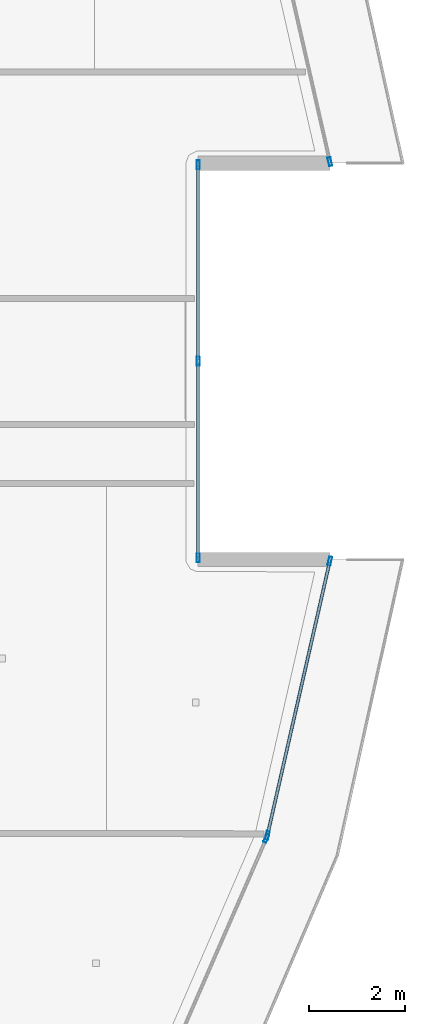
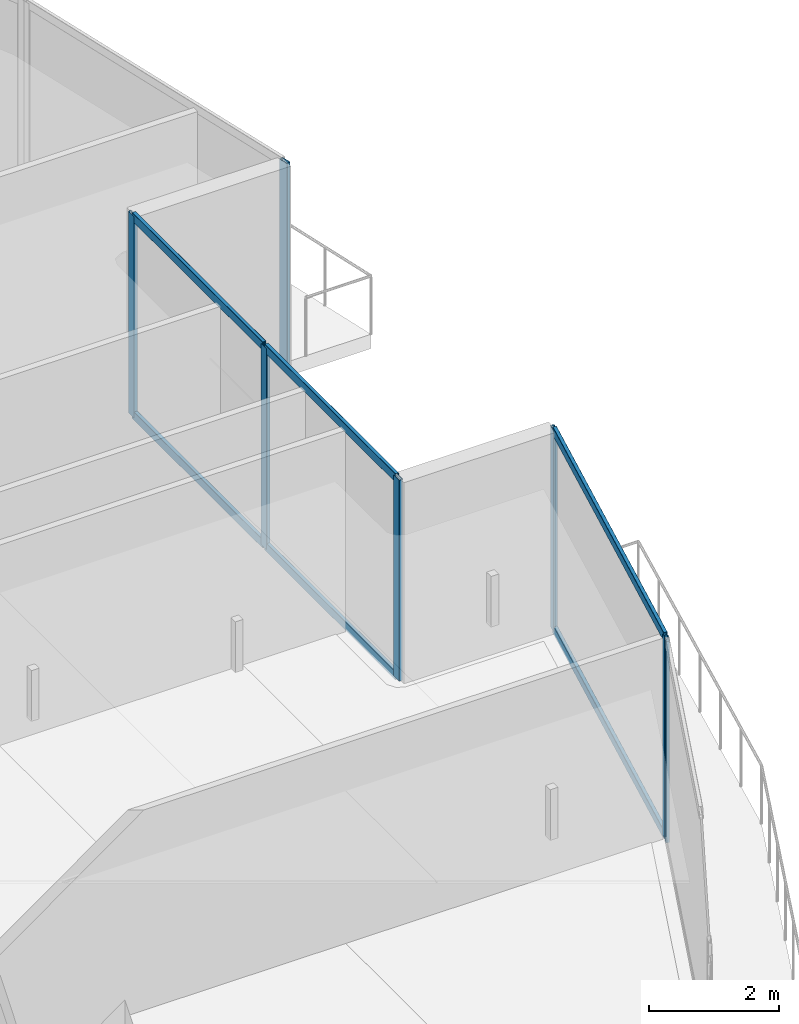
# One storey, part 12 of 33: 13 members, 4 elements without a shape of their own.
"""IFC4 building model written with IfcOpenShell, lengths in metres."""

from ifc_helpers import new_model, si_unit, direction, frame, origin, origin_2d, place, context, subcontext, project, spatial, hollow_rectangle, extrude, material, layer, layer_set, material_profile, profile_set, type_object, element, aggregate, save


model = new_model("IFC4")

# Units and contexts
model_context = context("Model", 3, precision=1e-05, world=origin(), true_north=direction((0.0, 1.0)))
body_context = subcontext(model_context, "Body", "Model", "MODEL_VIEW")
ifc_project = project(units=[si_unit("LENGTHUNIT", "METRE"), si_unit("AREAUNIT", "SQUARE_METRE"), si_unit("VOLUMEUNIT", "CUBIC_METRE"), si_unit("PLANEANGLEUNIT", "RADIAN"), si_unit("MASSUNIT", "GRAM", prefix="KILO")], contexts=[model_context])

# Site, building, storey
site_placement = place(None, origin())
site = spatial("IfcSite", under=ifc_project, at=site_placement, CompositionType="ELEMENT")
building_placement = place(site_placement, origin())
building = spatial("IfcBuilding", under=site, at=building_placement, Name="Qorvath Tower", CompositionType="ELEMENT")
storey_placement = place(building_placement, frame((0.0, 0.0, 237.449951171875)))
storey = spatial("IfcBuildingStorey", under=building, at=storey_placement, Name="L55", CompositionType="ELEMENT", Elevation=237.449951171875)

# Curtain wall, member
ifc_material_1 = material(Name="Anodised aluminium and triple low-E glass", Category="aluminium")
ifc_layer = layer(ifc_material_1, 0.179931640625)
ifc_layer_set = layer_set([ifc_layer], Name="CW-SYS-3")
curtain_wall_type = type_object("IfcCurtainWallType", Name="CW-SYS-3", PredefinedType="NOTDEFINED", material=ifc_layer_set)
curtain_wall_1_placement = place(storey_placement, origin())
curtain_wall_1 = element("IfcCurtainWall", 1, at=curtain_wall_1_placement, inside=storey, type_object=curtain_wall_type, Name="Curtain Wall CW-3 CW-T-L55-6.1", PredefinedType="NOTDEFINED")
ifc_material_2 = material(Name="Anodised aluminium 6063-T6", Category="aluminium")
ifc_material_profile_1 = material_profile(ifc_material_2, hollow_rectangle(XDim=0.06494140625, YDim=0.179931640625, WallThickness=0.00341796875, InnerFilletRadius=0.00341796875, OuterFilletRadius=0.007080078125, at=origin_2d()), Name="CWM 180x65")
ifc_profile_set_1 = profile_set([ifc_material_profile_1], Name="Anodised aluminium 6063-T6")
member_type_1 = type_object("IfcMemberType", Name="CWM-180", PredefinedType="MULLION", material=ifc_profile_set_1)
member_1_placement = place(storey_placement, frame((-1.1572265625, -9.90576171875, 0.0), z_axis=(0.0, 0.0, 1.0), x_axis=(-0.916728547594, 0.39951066322, 0.0)))
member_1 = element("IfcMember", 2, at=member_1_placement, type_object=member_type_1, Name="CW-3 mullion 2", PredefinedType="MULLION", context=body_context, shape_type="SweptSolid", body=[
    extrude(hollow_rectangle(XDim=0.06494140625, YDim=0.179931640625, WallThickness=0.00341796875, InnerFilletRadius=0.00341796875, OuterFilletRadius=0.007080078125, at=origin_2d()), origin(), (0.0, 0.0, 1.0), 3.780029296875),
])
aggregate(curtain_wall_1, [member_1])

# Curtain wall, members
curtain_wall_2_placement = place(storey_placement, origin())
curtain_wall_2 = element("IfcCurtainWall", 3, at=curtain_wall_2_placement, inside=storey, type_object=curtain_wall_type, Name="Curtain Wall CW-3 CW-T-L55-7.1", PredefinedType="NOTDEFINED")
member_2_placement = place(storey_placement, frame((-1.136962890625, -9.84423828125, 0.0), z_axis=(0.0, 0.0, 1.0), x_axis=(-0.975037173258, 0.222041687, 0.0)))
member_2 = element("IfcMember", 4, at=member_2_placement, type_object=member_type_1, Name="CW-3 mullion 1", PredefinedType="MULLION", context=body_context, shape_type="SweptSolid", body=[
    extrude(hollow_rectangle(XDim=0.06494140625, YDim=0.179931640625, WallThickness=0.00341796875, InnerFilletRadius=0.00341796875, OuterFilletRadius=0.007080078125, at=origin_2d()), origin(), (0.0, 0.0, 1.0), 3.780029296875),
])
member_3_placement = place(storey_placement, frame((0.160400390625, -4.146484375, 0.0), z_axis=(0.0, 0.0, 1.0), x_axis=(-0.975037173258, 0.222041687, 0.0)))
member_3 = element("IfcMember", 5, at=member_3_placement, type_object=member_type_1, Name="CW-3 mullion 2", PredefinedType="MULLION", context=body_context, shape_type="SweptSolid", body=[
    extrude(hollow_rectangle(XDim=0.06494140625, YDim=0.179931640625, WallThickness=0.00341796875, InnerFilletRadius=0.00341796875, OuterFilletRadius=0.007080078125, at=origin_2d()), origin(), (0.0, 0.0, 1.0), 3.780029296875),
])

curtain_wall_3_placement = place(storey_placement, origin())
curtain_wall_3 = element("IfcCurtainWall", 6, at=curtain_wall_3_placement, inside=storey, type_object=curtain_wall_type, Name="Curtain Wall CW-3 CW-T-L55-9.1", PredefinedType="NOTDEFINED")
member_4_placement = place(storey_placement, frame((-2.575439453125, -4.082275390625, 0.0), z_axis=(0.0, 0.0, 1.0), x_axis=(-1.0, 0.0, 0.0)))
member_4 = element("IfcMember", 7, at=member_4_placement, type_object=member_type_1, Name="CW-3 mullion 1", PredefinedType="MULLION", context=body_context, shape_type="SweptSolid", body=[
    extrude(hollow_rectangle(XDim=0.06494140625, YDim=0.179931640625, WallThickness=0.00341796875, InnerFilletRadius=0.00341796875, OuterFilletRadius=0.007080078125, at=origin_2d()), origin(), (0.0, 0.0, 1.0), 3.780029296875),
])
member_5_placement = place(storey_placement, frame((-2.575439453125, 0.0, 0.0), z_axis=(0.0, 0.0, 1.0), x_axis=(-1.0, 0.0, 0.0)))
member_5 = element("IfcMember", 8, at=member_5_placement, type_object=member_type_1, Name="CW-3 mullion 2", PredefinedType="MULLION", context=body_context, shape_type="SweptSolid", body=[
    extrude(hollow_rectangle(XDim=0.06494140625, YDim=0.179931640625, WallThickness=0.00341796875, InnerFilletRadius=0.00341796875, OuterFilletRadius=0.007080078125, at=origin_2d()), origin(), (0.0, 0.0, 1.0), 3.780029296875),
])
member_6_placement = place(storey_placement, frame((-2.575439453125, 4.082275390625, 0.0), z_axis=(0.0, 0.0, 1.0), x_axis=(-1.0, 0.0, 0.0)))
member_6 = element("IfcMember", 9, at=member_6_placement, type_object=member_type_1, Name="CW-3 mullion 3", PredefinedType="MULLION", context=body_context, shape_type="SweptSolid", body=[
    extrude(hollow_rectangle(XDim=0.06494140625, YDim=0.179931640625, WallThickness=0.00341796875, InnerFilletRadius=0.00341796875, OuterFilletRadius=0.007080078125, at=origin_2d()), origin(), (0.0, 0.0, 1.0), 3.780029296875),
])

# Curtain wall, member
curtain_wall_4_placement = place(storey_placement, origin())
curtain_wall_4 = element("IfcCurtainWall", 10, at=curtain_wall_4_placement, inside=storey, type_object=curtain_wall_type, Name="Curtain Wall CW-3 CW-T-L55-11.1", PredefinedType="NOTDEFINED")
member_7_placement = place(storey_placement, frame((0.160400390625, 4.146484375, 0.0), z_axis=(0.0, 0.0, 1.0), x_axis=(-0.975037173258, -0.222041687, 0.0)))
member_7 = element("IfcMember", 11, at=member_7_placement, type_object=member_type_1, Name="CW-3 mullion 1", PredefinedType="MULLION", context=body_context, shape_type="SweptSolid", body=[
    extrude(hollow_rectangle(XDim=0.06494140625, YDim=0.179931640625, WallThickness=0.00341796875, InnerFilletRadius=0.00341796875, OuterFilletRadius=0.007080078125, at=origin_2d()), origin(), (0.0, 0.0, 1.0), 3.780029296875),
])
aggregate(curtain_wall_4, [member_7])

# Member
ifc_material_3 = material(Name="Anodised aluminium 6063-T6", Category="aluminium")
ifc_material_profile_2 = material_profile(ifc_material_3, hollow_rectangle(XDim=0.06494140625, YDim=0.159912109375, WallThickness=0.00341796875, InnerFilletRadius=0.00341796875, OuterFilletRadius=0.007080078125, at=origin_2d()), Name="CWT 160x65")
ifc_profile_set_2 = profile_set([ifc_material_profile_2], Name="Anodised aluminium 6063-T6")
member_type_2 = type_object("IfcMemberType", Name="CWT-160", PredefinedType="USERDEFINED", material=ifc_profile_set_2)
member_8_placement = place(storey_placement, frame((-1.1298828125, -9.812744140625, 0.032470703125), z_axis=(0.22204470413, 0.975036486173, 0.0), x_axis=(-0.975036486173, 0.22204470413, 0.0)))
member_8 = element("IfcMember", 12, at=member_8_placement, type_object=member_type_2, Name="CW-3 transom 1.1", ObjectType="TRANSOM", PredefinedType="USERDEFINED", context=body_context, shape_type="SweptSolid", body=[
    extrude(hollow_rectangle(XDim=0.06494140625, YDim=0.159912109375, WallThickness=0.00341796875, InnerFilletRadius=0.00341796875, OuterFilletRadius=0.007080078125, at=origin_2d()), origin(), (0.0, 0.0, 1.0), 5.779052734375),
])

member_9_placement = place(storey_placement, frame((-1.1298828125, -9.812744140625, 3.74755859375), z_axis=(0.22204470413, 0.975036486173, 0.0), x_axis=(-0.975036486173, 0.22204470413, 0.0)))
member_9 = element("IfcMember", 13, at=member_9_placement, type_object=member_type_2, Name="CW-3 transom 1.2", ObjectType="TRANSOM", PredefinedType="USERDEFINED", context=body_context, shape_type="SweptSolid", body=[
    extrude(hollow_rectangle(XDim=0.06494140625, YDim=0.159912109375, WallThickness=0.00341796875, InnerFilletRadius=0.00341796875, OuterFilletRadius=0.007080078125, at=origin_2d()), origin(), (0.0, 0.0, 1.0), 5.779052734375),
])

aggregate(curtain_wall_2, [member_2, member_3, member_8, member_9])

member_10_placement = place(storey_placement, frame((-2.575439453125, -4.0498046875, 0.032470703125), z_axis=(0.0, 1.0, 0.0), x_axis=(-1.0, 0.0, 0.0)))
member_10 = element("IfcMember", 14, at=member_10_placement, type_object=member_type_2, Name="CW-3 transom 1.1", ObjectType="TRANSOM", PredefinedType="USERDEFINED", context=body_context, shape_type="SweptSolid", body=[
    extrude(hollow_rectangle(XDim=0.06494140625, YDim=0.159912109375, WallThickness=0.00341796875, InnerFilletRadius=0.00341796875, OuterFilletRadius=0.007080078125, at=origin_2d()), origin(), (0.0, 0.0, 1.0), 4.017333984375),
])

member_11_placement = place(storey_placement, frame((-2.575439453125, -4.0498046875, 3.74755859375), z_axis=(0.0, 1.0, 0.0), x_axis=(-1.0, 0.0, 0.0)))
member_11 = element("IfcMember", 15, at=member_11_placement, type_object=member_type_2, Name="CW-3 transom 1.2", ObjectType="TRANSOM", PredefinedType="USERDEFINED", context=body_context, shape_type="SweptSolid", body=[
    extrude(hollow_rectangle(XDim=0.06494140625, YDim=0.159912109375, WallThickness=0.00341796875, InnerFilletRadius=0.00341796875, OuterFilletRadius=0.007080078125, at=origin_2d()), origin(), (0.0, 0.0, 1.0), 4.017333984375),
])

member_12_placement = place(storey_placement, frame((-2.575439453125, 0.032470703125, 0.032470703125), z_axis=(0.0, 1.0, 0.0), x_axis=(-1.0, 0.0, 0.0)))
member_12 = element("IfcMember", 16, at=member_12_placement, type_object=member_type_2, Name="CW-3 transom 2.1", ObjectType="TRANSOM", PredefinedType="USERDEFINED", context=body_context, shape_type="SweptSolid", body=[
    extrude(hollow_rectangle(XDim=0.06494140625, YDim=0.159912109375, WallThickness=0.00341796875, InnerFilletRadius=0.00341796875, OuterFilletRadius=0.007080078125, at=origin_2d()), origin(), (0.0, 0.0, 1.0), 4.017333984375),
])

member_13_placement = place(storey_placement, frame((-2.575439453125, 0.032470703125, 3.74755859375), z_axis=(0.0, 1.0, 0.0), x_axis=(-1.0, 0.0, 0.0)))
member_13 = element("IfcMember", 17, at=member_13_placement, type_object=member_type_2, Name="CW-3 transom 2.2", ObjectType="TRANSOM", PredefinedType="USERDEFINED", context=body_context, shape_type="SweptSolid", body=[
    extrude(hollow_rectangle(XDim=0.06494140625, YDim=0.159912109375, WallThickness=0.00341796875, InnerFilletRadius=0.00341796875, OuterFilletRadius=0.007080078125, at=origin_2d()), origin(), (0.0, 0.0, 1.0), 4.017333984375),
])

aggregate(curtain_wall_3, [member_4, member_5, member_6, member_10, member_11, member_12, member_13])

save(model, "model.ifc")
